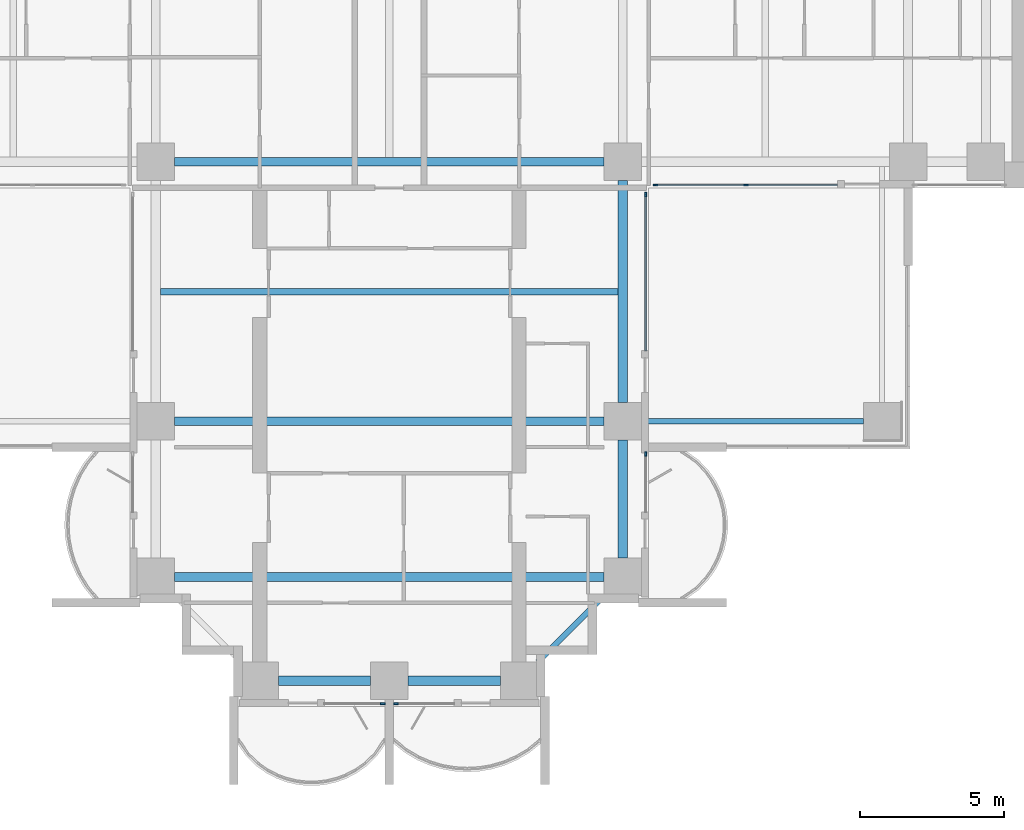
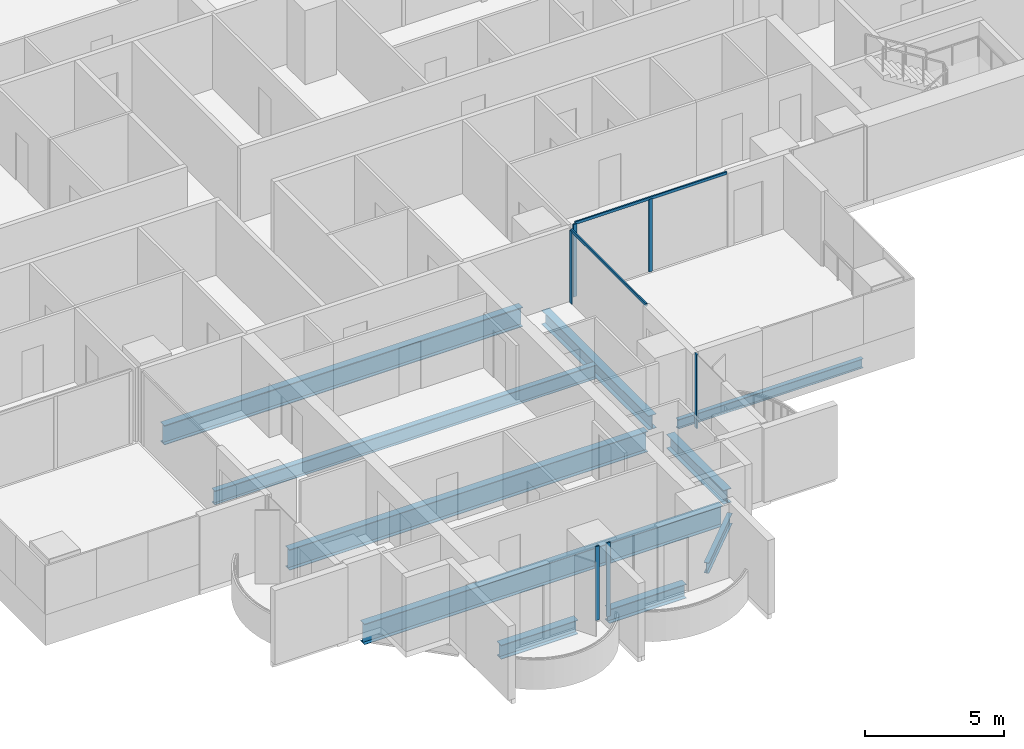
# One storey, part 3 of 21: 10 beams, 8 members, 5 elements without a shape of their own.
"""IFC4 building model written with IfcOpenShell, lengths in metres."""

import ifcopenshell
import ifcopenshell.guid

model = None  # the IFC model being written
_history = None  # IfcOwnerHistory: only IFC2X3 demands one
_inside = {}  # id of a spatial element -> (the spatial element, [elements in it])
_under = {}  # id of a project, library or spatial element -> (it, [spatial elements below it])
_declared = {}  # id of a project -> (the project, [libraries it declares])
_typed = {}  # id of a type object -> (the type object, [elements of that type])
_made_of = {}  # id of a material, layer set ... -> (it, [elements and type objects made of it])


def new_model(schema):
    """Start an empty IFC model of exactly this schema.

    Asked for "IFC4X3", IfcOpenShell would pick the latest addendum, in which some entities
    have other attributes; the version numbers below select the first issue.
    IFC2X3 requires an IfcOwnerHistory on every rooted entity: one is made here for all.
    """
    global model, _history
    if schema == "IFC4X3":
        model = ifcopenshell.file(schema_version=(4, 3, 0, 0))
    else:
        model = ifcopenshell.file(schema=schema)
    _inside.clear()
    _under.clear()
    _declared.clear()
    _typed.clear()
    _made_of.clear()
    _history = None
    if model.schema == "IFC2X3":
        org = make("IfcOrganization", Name="unknown")
        user = make(
            "IfcPersonAndOrganization",
            ThePerson=make("IfcPerson", FamilyName="unknown"),
            TheOrganization=org,
        )
        app = make(
            "IfcApplication",
            ApplicationDeveloper=org,
            Version="unknown",
            ApplicationFullName="unknown",
            ApplicationIdentifier="unknown",
        )
        _history = make(
            "IfcOwnerHistory",
            OwningUser=user,
            OwningApplication=app,
            ChangeAction="ADDED",
            CreationDate=0,
        )
    return model


def make(cls, **values):
    """One entity of the class cls with the attributes given. An attribute that is None is left unset."""
    return model.create_entity(
        cls, **{name: value for name, value in values.items() if value is not None}
    )


def rooted(cls, **values):
    """An entity with a GlobalId (a new one), such as an element, a storey or a relation."""
    return make(cls, GlobalId=ifcopenshell.guid.new(), OwnerHistory=_history, **values)


def si_unit(unit_type, name, prefix=None):
    """IfcSIUnit, for example si_unit("LENGTHUNIT", "METRE", prefix="MILLI")."""
    return make("IfcSIUnit", UnitType=unit_type, Prefix=prefix, Name=name)


def assignment(units):
    """IfcUnitAssignment: the units of a project."""
    return None if units is None else make("IfcUnitAssignment", Units=units)


def point(xyz):
    """IfcCartesianPoint."""
    return None if xyz is None else make("IfcCartesianPoint", Coordinates=xyz)


def direction(xyz):
    """IfcDirection."""
    return None if xyz is None else make("IfcDirection", DirectionRatios=xyz)


def frame(location, z_axis=None, x_axis=None):
    """IfcAxis2Placement3D, a coordinate frame: its origin and axes. An axis left out is left unset."""
    return make(
        "IfcAxis2Placement3D",
        Location=point(location),
        Axis=direction(z_axis),
        RefDirection=direction(x_axis),
    )


def frame_2d(location, x_axis=None):
    """IfcAxis2Placement2D, a coordinate frame in the plane: its origin and x axis."""
    return make(
        "IfcAxis2Placement2D", Location=point(location), RefDirection=direction(x_axis)
    )


def origin():
    """The frame at (0, 0, 0) with its axes left unset."""
    return frame((0.0, 0.0, 0.0))


def origin_2d():
    """The frame at (0, 0) in the plane with its x axis left unset."""
    return frame_2d((0.0, 0.0))


def place(relative_to, where):
    """IfcLocalPlacement: puts the frame where relative to a parent placement (None: the world)."""
    return make(
        "IfcLocalPlacement", PlacementRelTo=relative_to, RelativePlacement=where
    )


def context(
    kind, dimensions, precision=None, world=None, true_north=None, identifier=None
):
    """IfcGeometricRepresentationContext, for example the 3D "Model" context."""
    return make(
        "IfcGeometricRepresentationContext",
        ContextIdentifier=identifier,
        ContextType=kind,
        CoordinateSpaceDimension=dimensions,
        Precision=precision,
        WorldCoordinateSystem=world,
        TrueNorth=true_north,
    )


def subcontext(parent, identifier, kind, view, scale=None):
    """IfcGeometricRepresentationSubContext, for example "Body" below "Model"."""
    return make(
        "IfcGeometricRepresentationSubContext",
        ContextIdentifier=identifier,
        ContextType=kind,
        ParentContext=parent,
        TargetScale=scale,
        TargetView=view,
    )


def project(units=None, contexts=None):
    """IfcProject with its units and contexts."""
    return rooted(
        "IfcProject",
        Name="project",
        RepresentationContexts=contexts,
        UnitsInContext=assignment(units),
    )


def spatial(cls, under=None, at=None, **own):
    """A site, building, storey or space (cls), placed at a placement, below another one or the project."""
    s = rooted(cls, ObjectPlacement=at, **own)
    if under is not None:
        _under.setdefault(under.id(), (under, []))[1].append(s)
    return s


def profile(cls, at=None, kind="AREA", **sizes):
    """A parametric profile (cls). Its sizes go by their IFC names, for example OverallWidth=200.0."""
    return make(cls, ProfileType=kind, Position=at, **sizes)


def rectangle(**sizes):
    """IfcRectangleProfileDef."""
    return profile("IfcRectangleProfileDef", **sizes)


def i_section(**sizes):
    """IfcIShapeProfileDef."""
    return profile("IfcIShapeProfileDef", **sizes)


def extrude(swept, where, along, depth):
    """IfcExtrudedAreaSolid: the profile swept, set in the frame where, extruded along a direction by depth."""
    return make(
        "IfcExtrudedAreaSolid",
        SweptArea=swept,
        Position=where,
        ExtrudedDirection=direction(along),
        Depth=depth,
    )


def shape(context_of_items, identifier, shape_type, items):
    """IfcShapeRepresentation: the items that make up one representation, for example the "Body"."""
    return make(
        "IfcShapeRepresentation",
        ContextOfItems=context_of_items,
        RepresentationIdentifier=identifier,
        RepresentationType=shape_type,
        Items=items,
    )


def material(Name=None, Category=None):
    """IfcMaterial."""
    return make("IfcMaterial", Name=Name, Category=Category)


def material_profile(
    of_material, cross_section, Name=None, Category=None, Priority=None
):
    """IfcMaterialProfile: a cross section and its material."""
    return make(
        "IfcMaterialProfile",
        Name=Name,
        Material=of_material,
        Profile=cross_section,
        Priority=Priority,
        Category=Category,
    )


def profile_set(profiles, Name=None, composite=None):
    """IfcMaterialProfileSet."""
    return make(
        "IfcMaterialProfileSet",
        Name=Name,
        MaterialProfiles=profiles,
        CompositeProfile=composite,
    )


def made_of(thing, what):
    """Note that an element or type object is made of a material, layer set ...; save() writes the relation."""
    if what is not None:
        _made_of.setdefault(what.id(), (what, []))[1].append(thing)
    return thing


def type_object(cls, material=None, **own):
    """A type object (cls), such as IfcWallType, which elements share."""
    return made_of(rooted(cls, **own), material)


def element(
    cls,
    number,
    at=None,
    inside=None,
    cuts=None,
    type_object=None,
    material=None,
    context=None,
    identifier="Body",
    shape_type=None,
    held_by="IfcProductDefinitionShape",
    body=None,
    shapes=None,
    **own,
):
    """One element of the class cls, such as IfcWall. Its Tag is "e" and its number.

    at: its placement. inside: the storey or other place that contains it. cuts: it is an
    opening in that element (IfcRelVoidsElement). A single representation is given by context,
    identifier, shape_type and body (its items); several are given by shapes. held_by: the class
    of the entity that holds the representations. save() writes the other relations.
    """
    e = rooted(cls, Tag="e%d" % number, ObjectPlacement=at, **own)
    if body is not None:
        shapes = [shape(context, identifier, shape_type, body)]
    if shapes is not None:
        e.Representation = make(held_by, Representations=shapes)
    if inside is not None:
        _inside.setdefault(inside.id(), (inside, []))[1].append(e)
    if cuts is not None:
        rooted(
            "IfcRelVoidsElement", RelatingBuildingElement=cuts, RelatedOpeningElement=e
        )
    if type_object is not None:
        _typed.setdefault(type_object.id(), (type_object, []))[1].append(e)
    return made_of(e, material)


def aggregate(whole, parts):
    """IfcRelAggregates: a whole, such as a stair, and the parts it consists of."""
    return rooted("IfcRelAggregates", RelatingObject=whole, RelatedObjects=parts)


def save(model, path):
    """Write the relations noted so far, then the file.

    IfcRelAggregates (storeys below a building ...), IfcRelContainedInSpatialStructure (elements
    in a storey), IfcRelDefinesByType, IfcRelAssociatesMaterial and IfcRelDeclares: one each for
    every whole, place, type object, material and project.
    """
    for whole, parts in _under.values():
        aggregate(whole, parts)
    for where, things in _inside.values():
        rooted(
            "IfcRelContainedInSpatialStructure",
            RelatedElements=things,
            RelatingStructure=where,
        )
    for kind, things in _typed.values():
        rooted("IfcRelDefinesByType", RelatedObjects=things, RelatingType=kind)
    for what, things in _made_of.values():
        rooted("IfcRelAssociatesMaterial", RelatedObjects=things, RelatingMaterial=what)
    for by, libraries in _declared.values():
        rooted("IfcRelDeclares", RelatingContext=by, RelatedDefinitions=libraries)
    model.write(path)


model = new_model("IFC4")

# Units and contexts
model_context = context("Model", 3, precision=1e-05, world=origin(), true_north=direction((0.0, 1.0)))
body_context = subcontext(model_context, "Body", "Model", "MODEL_VIEW")
ifc_project = project(units=[si_unit("LENGTHUNIT", "METRE"), si_unit("AREAUNIT", "SQUARE_METRE"), si_unit("VOLUMEUNIT", "CUBIC_METRE"), si_unit("PLANEANGLEUNIT", "RADIAN"), si_unit("MASSUNIT", "GRAM", prefix="KILO")], contexts=[model_context])

# Site, building, storey
site_placement = place(None, origin())
site = spatial("IfcSite", under=ifc_project, at=site_placement, CompositionType="ELEMENT")
building_placement = place(site_placement, origin())
building = spatial("IfcBuilding", under=site, at=building_placement, Name="Perihelion Cross Residences", CompositionType="ELEMENT")
storey_placement = place(building_placement, frame((0.0, 0.0, 47.0)))
storey = spatial("IfcBuildingStorey", under=building, at=storey_placement, Name="L08", CompositionType="ELEMENT", Elevation=47.0)

# Curtain wall, member
ifc_material_1 = material(Name="Bronze anodised aluminium, tinted glazing", Category="aluminium")
curtain_wall_type = type_object("IfcCurtainWallType", Name="CW1", PredefinedType="NOTDEFINED", material=ifc_material_1)
curtain_wall_1_placement = place(storey_placement, origin())
curtain_wall_1 = element("IfcCurtainWall", 1, at=curtain_wall_1_placement, inside=storey, type_object=curtain_wall_type, Name="Curtain wall CW1 L08 south tip south bay 1", PredefinedType="NOTDEFINED")
ifc_material_2 = material(Name="Bronze anodised aluminium", Category="aluminium")
ifc_material_profile_1 = material_profile(ifc_material_2, rectangle(XDim=0.06005859375, YDim=0.159912109375, at=origin_2d()), Name="CW1 mullion")
ifc_profile_set_1 = profile_set([ifc_material_profile_1], Name="Bronze anodised aluminium")
member_type_1 = type_object("IfcMemberType", Name="CW1 mullion", PredefinedType="MULLION", material=ifc_profile_set_1)
member_1_placement = place(storey_placement, frame((-0.22998046875, -26.89990234375, 0.0), z_axis=(0.0, 0.0, 1.0), x_axis=(0.0, 1.0, 0.0)))
member_1 = element("IfcMember", 2, at=member_1_placement, type_object=member_type_1, Name="CW1 mullion 2", PredefinedType="MULLION", context=body_context, shape_type="SweptSolid", body=[
    extrude(rectangle(XDim=0.06005859375, YDim=0.159912109375, at=origin_2d()), origin(), (0.0, 0.0, 1.0), 3.25),
])
aggregate(curtain_wall_1, [member_1])

curtain_wall_2_placement = place(storey_placement, origin())
curtain_wall_2 = element("IfcCurtainWall", 3, at=curtain_wall_2_placement, inside=storey, type_object=curtain_wall_type, Name="Curtain wall CW1 L08 south tip south bay 2", PredefinedType="NOTDEFINED")
member_2_placement = place(storey_placement, frame((0.22998046875, -26.89990234375, 0.0), z_axis=(0.0, 0.0, 1.0), x_axis=(0.0, 1.0, 0.0)))
member_2 = element("IfcMember", 4, at=member_2_placement, type_object=member_type_1, Name="CW1 mullion 1", PredefinedType="MULLION", context=body_context, shape_type="SweptSolid", body=[
    extrude(rectangle(XDim=0.06005859375, YDim=0.159912109375, at=origin_2d()), origin(), (0.0, 0.0, 1.0), 3.25),
])
aggregate(curtain_wall_2, [member_2])

curtain_wall_3_placement = place(storey_placement, origin())
curtain_wall_3 = element("IfcCurtainWall", 5, at=curtain_wall_3_placement, inside=storey, type_object=curtain_wall_type, Name="Curtain wall CW1 L08 south side east bay 1", PredefinedType="NOTDEFINED")
member_3_placement = place(storey_placement, frame((8.89990234375, -18.22998046875, 0.0), z_axis=(0.0, 0.0, 1.0), x_axis=(-1.0, 0.0, 0.0)))
member_3 = element("IfcMember", 6, at=member_3_placement, type_object=member_type_1, Name="CW1 mullion 2", PredefinedType="MULLION", context=body_context, shape_type="SweptSolid", body=[
    extrude(rectangle(XDim=0.06005859375, YDim=0.159912109375, at=origin_2d()), origin(), (0.0, 0.0, 1.0), 3.25),
])
aggregate(curtain_wall_3, [member_3])

curtain_wall_4_placement = place(storey_placement, origin())
curtain_wall_4 = element("IfcCurtainWall", 7, at=curtain_wall_4_placement, inside=storey, type_object=curtain_wall_type, Name="Curtain wall CW1 L08 south side east bay 2", PredefinedType="NOTDEFINED")
member_4_placement = place(storey_placement, frame((8.89990234375, -9.22998046875, 0.0), z_axis=(0.0, 0.0, 1.0), x_axis=(-1.0, 0.0, 0.0)))
member_4 = element("IfcMember", 8, at=member_4_placement, type_object=member_type_1, Name="CW1 mullion 2", PredefinedType="MULLION", context=body_context, shape_type="SweptSolid", body=[
    extrude(rectangle(XDim=0.06005859375, YDim=0.159912109375, at=origin_2d()), origin(), (0.0, 0.0, 1.0), 3.18994140625),
])

# Curtain wall, members
curtain_wall_5_placement = place(storey_placement, origin())
curtain_wall_5 = element("IfcCurtainWall", 9, at=curtain_wall_5_placement, inside=storey, type_object=curtain_wall_type, Name="Curtain wall CW1 L08 east side south bay 1", PredefinedType="NOTDEFINED")
member_5_placement = place(storey_placement, frame((9.22998046875, -8.89990234375, 0.0), z_axis=(0.0, 0.0, 1.0), x_axis=(0.0, 1.0, 0.0)))
member_5 = element("IfcMember", 10, at=member_5_placement, type_object=member_type_1, Name="CW1 mullion 1", PredefinedType="MULLION", context=body_context, shape_type="SweptSolid", body=[
    extrude(rectangle(XDim=0.06005859375, YDim=0.159912109375, at=origin_2d()), origin(), (0.0, 0.0, 1.0), 3.18994140625),
])
member_6_placement = place(storey_placement, frame((12.375, -8.89990234375, 0.0), z_axis=(0.0, 0.0, 1.0), x_axis=(0.0, 1.0, 0.0)))
member_6 = element("IfcMember", 11, at=member_6_placement, type_object=member_type_1, Name="CW1 mullion 2", PredefinedType="MULLION", context=body_context, shape_type="SweptSolid", body=[
    extrude(rectangle(XDim=0.06005859375, YDim=0.159912109375, at=origin_2d()), origin(), (0.0, 0.0, 1.0), 3.18994140625),
])

# Member
ifc_material_3 = material(Name="Bronze anodised aluminium", Category="aluminium")
ifc_material_profile_2 = material_profile(ifc_material_3, rectangle(XDim=0.06005859375, YDim=0.1201171875, at=origin_2d()), Name="CW1 transom")
ifc_profile_set_2 = profile_set([ifc_material_profile_2], Name="Bronze anodised aluminium")
member_type_2 = type_object("IfcMemberType", Name="CW1 transom", PredefinedType="USERDEFINED", material=ifc_profile_set_2)
member_7_placement = place(storey_placement, frame((8.89990234375, -14.64990234375, 3.219970703125), z_axis=(0.0, 1.0, 0.0), x_axis=(-1.0, 0.0, 0.0)))
member_7 = element("IfcMember", 12, at=member_7_placement, type_object=member_type_2, Name="CW1 head transom", ObjectType="TRANSOM", PredefinedType="USERDEFINED", context=body_context, shape_type="SweptSolid", body=[
    extrude(rectangle(XDim=0.06005859375, YDim=0.1201171875, at=origin_2d()), origin(), (0.0, 0.0, 1.0), 5.419921875),
])

aggregate(curtain_wall_4, [member_4, member_7])

member_8_placement = place(storey_placement, frame((9.22998046875, -8.89990234375, 3.219970703125), z_axis=(1.0, 0.0, 0.0), x_axis=(0.0, 1.0, 0.0)))
member_8 = element("IfcMember", 13, at=member_8_placement, type_object=member_type_2, Name="CW1 head transom", ObjectType="TRANSOM", PredefinedType="USERDEFINED", context=body_context, shape_type="SweptSolid", body=[
    extrude(rectangle(XDim=0.06005859375, YDim=0.1201171875, at=origin_2d()), origin(), (0.0, 0.0, 1.0), 6.320068359375),
])

aggregate(curtain_wall_5, [member_5, member_6, member_8])

# Beams
ifc_material_4 = material(Name="Steel S355", Category="steel")
ifc_material_profile_3 = material_profile(ifc_material_4, i_section(OverallWidth=0.177978515625, OverallDepth=0.406005859375, WebThickness=0.0078125, FlangeThickness=0.0126953125, at=origin_2d()), Name="W410x60")
ifc_profile_set_3 = profile_set([ifc_material_profile_3], Name="Steel S355")
beam_type_1 = type_object("IfcBeamType", Name="Core edge beam W410x60", PredefinedType="BEAM", material=ifc_profile_set_3)
beam_1_placement = place(storey_placement, frame((8.75, -17.10009765625, -0.452880859375), z_axis=(1.0, 0.0, 0.0), x_axis=(0.0, 1.0, 0.0)))
element("IfcBeam", 14, at=beam_1_placement, inside=storey, type_object=beam_type_1, Name="Core edge beam TB2 L08 corner no. 6", PredefinedType="BEAM", context=body_context, shape_type="SweptSolid", body=[
    extrude(i_section(OverallWidth=0.177978515625, OverallDepth=0.406005859375, WebThickness=0.0078125, FlangeThickness=0.0126953125, at=origin_2d()), origin(), (0.0, 0.0, 1.0), 7.699951171875),
])
ifc_material_5 = material(Name="Steel S355", Category="steel")
ifc_material_profile_4 = material_profile(ifc_material_5, i_section(OverallWidth=0.324951171875, OverallDepth=0.616943359375, WebThickness=0.013916015625, FlangeThickness=0.021484375, at=origin_2d()), Name="W610x174")
ifc_profile_set_4 = profile_set([ifc_material_profile_4], Name="Steel S355")
beam_type_2 = type_object("IfcBeamType", Name="Edge beam W610x174", PredefinedType="SPANDREL", material=ifc_profile_set_4)
for number, where, z_axis, x_axis, name in (
    (15, (-3.85009765625, -26.10009765625, -0.55859375), (1.0, 0.0, 0.0), (0.0, 1.0, 0.0), "Edge beam SB2 L08 no. 4"),
    (16, (0.64990234375, -26.10009765625, -0.55859375), (1.0, 0.0, 0.0), (0.0, 1.0, 0.0), "Edge beam SB2 L08 no. 10"),
):
    element("IfcBeam", number, at=place(storey_placement, frame(where, z_axis=z_axis, x_axis=x_axis)), inside=storey, type_object=beam_type_2, Name=name, PredefinedType="SPANDREL", context=body_context, shape_type="SweptSolid", body=[
        extrude(i_section(OverallWidth=0.324951171875, OverallDepth=0.616943359375, WebThickness=0.013916015625, FlangeThickness=0.021484375, at=origin_2d()), origin(), (0.0, 0.0, 1.0), 3.2001953125),
    ])
beam_2_placement = place(storey_placement, frame((8.10009765625, -21.85009765625, -0.55859375), z_axis=(0.0, 1.0, 0.0), x_axis=(-1.0, 0.0, 0.0)))
element("IfcBeam", 17, at=beam_2_placement, inside=storey, type_object=beam_type_2, Name="Edge beam SB2 L08 no. 17", PredefinedType="SPANDREL", context=body_context, shape_type="SweptSolid", body=[
    extrude(i_section(OverallWidth=0.324951171875, OverallDepth=0.616943359375, WebThickness=0.013916015625, FlangeThickness=0.021484375, at=origin_2d()), origin(), (0.0, 0.0, 1.0), 4.10009765625),
])
beam_3_placement = place(storey_placement, frame((8.10009765625, -16.449951171875, -0.55859375), z_axis=(0.0, 1.0, 0.0), x_axis=(-1.0, 0.0, 0.0)))
element("IfcBeam", 18, at=beam_3_placement, inside=storey, type_object=beam_type_2, Name="Edge beam SB2 L08 no. 16", PredefinedType="SPANDREL", context=body_context, shape_type="SweptSolid", body=[
    extrude(i_section(OverallWidth=0.324951171875, OverallDepth=0.616943359375, WebThickness=0.013916015625, FlangeThickness=0.021484375, at=origin_2d()), origin(), (0.0, 0.0, 1.0), 7.699951171875),
])
ifc_material_6 = material(Name="Steel S355", Category="steel")
ifc_material_profile_5 = material_profile(ifc_material_6, i_section(OverallWidth=0.304931640625, OverallDepth=0.904052734375, WebThickness=0.01513671875, FlangeThickness=0.02001953125, at=origin_2d()), Name="W920x201")
ifc_profile_set_5 = profile_set([ifc_material_profile_5], Name="Steel S355")
beam_type_3 = type_object("IfcBeamType", Name="Floor girder W920x201", PredefinedType="BEAM", material=ifc_profile_set_5)
for number, where, z_axis, x_axis, name in (
    (19, (-7.449951171875, -17.10009765625, -0.701904296875), (1.0, 0.0, 0.0), (0.0, 1.0, 0.0), "Girder G2 L08 no. 3"),
    (20, (-7.449951171875, -22.5, -0.701904296875), (1.0, 0.0, 0.0), (0.0, 1.0, 0.0), "Girder G2 L08 no. 4"),
):
    element("IfcBeam", number, at=place(storey_placement, frame(where, z_axis=z_axis, x_axis=x_axis)), inside=storey, type_object=beam_type_3, Name=name, PredefinedType="BEAM", context=body_context, shape_type="SweptSolid", body=[
        extrude(i_section(OverallWidth=0.304931640625, OverallDepth=0.904052734375, WebThickness=0.01513671875, FlangeThickness=0.02001953125, at=origin_2d()), origin(), (0.0, 0.0, 1.0), 14.89990234375),
    ])
ifc_material_7 = material(Name="Steel S355", Category="steel")
ifc_material_profile_6 = material_profile(ifc_material_7, i_section(OverallWidth=0.22900390625, OverallDepth=0.612060546875, WebThickness=0.011962890625, FlangeThickness=0.01953125, at=origin_2d()), Name="W610x125")
ifc_profile_set_6 = profile_set([ifc_material_profile_6], Name="Steel S355")
beam_type_4 = type_object("IfcBeamType", Name="Floor joist W610x125", PredefinedType="JOIST", material=ifc_profile_set_6)
beam_4_placement = place(storey_placement, frame((-7.9375, -12.60009765625, -0.555908203125), z_axis=(1.0, 0.0, 0.0), x_axis=(0.0, 1.0, 0.0)))
element("IfcBeam", 21, at=beam_4_placement, inside=storey, type_object=beam_type_4, Name="Joist J3 L08 no. 3", PredefinedType="JOIST", context=body_context, shape_type="SweptSolid", body=[
    extrude(i_section(OverallWidth=0.22900390625, OverallDepth=0.612060546875, WebThickness=0.011962890625, FlangeThickness=0.01953125, at=origin_2d()), origin(), (0.0, 0.0, 1.0), 15.875),
])
ifc_material_8 = material(Name="Steel S355", Category="steel")
ifc_material_profile_7 = material_profile(ifc_material_8, i_section(OverallWidth=0.2919921875, OverallDepth=0.85888671875, WebThickness=0.01708984375, FlangeThickness=0.031005859375, at=origin_2d()), Name="W840x251")
ifc_profile_set_7 = profile_set([ifc_material_profile_7], Name="Steel S355")
beam_type_5 = type_object("IfcBeamType", Name="Hub ring girder W840x251", PredefinedType="BEAM", material=ifc_profile_set_7)
beam_5_placement = place(storey_placement, frame((-7.449951171875, -8.10009765625, -0.679443359375), z_axis=(1.0, 0.0, 0.0), x_axis=(0.0, 1.0, 0.0)))
element("IfcBeam", 22, at=beam_5_placement, inside=storey, type_object=beam_type_5, Name="Hub ring girder RG2 L08 no. 1", PredefinedType="BEAM", context=body_context, shape_type="SweptSolid", body=[
    extrude(i_section(OverallWidth=0.2919921875, OverallDepth=0.85888671875, WebThickness=0.01708984375, FlangeThickness=0.031005859375, at=origin_2d()), origin(), (0.0, 0.0, 1.0), 14.89990234375),
])
ifc_material_9 = material(Name="Steel S355", Category="steel")
ifc_material_profile_8 = material_profile(ifc_material_9, i_section(OverallWidth=0.194091796875, OverallDepth=0.469970703125, WebThickness=0.0126953125, FlangeThickness=0.0205078125, at=origin_2d()), Name="W460x106")
ifc_profile_set_8 = profile_set([ifc_material_profile_8], Name="Steel S355")
beam_type_6 = type_object("IfcBeamType", Name="Serration edge beam W460x106", PredefinedType="BEAM", material=ifc_profile_set_8)
beam_6_placement = place(storey_placement, frame((5.14990234375, -25.449951171875, -0.485107421875), z_axis=(0.707106781187, 0.707106781187, 0.0), x_axis=(-0.707106781187, 0.707106781187, 0.0)))
element("IfcBeam", 23, at=beam_6_placement, inside=storey, type_object=beam_type_6, Name="Serration edge beam EB2 L08 no. 3", PredefinedType="BEAM", context=body_context, shape_type="SweptSolid", body=[
    extrude(i_section(OverallWidth=0.194091796875, OverallDepth=0.469970703125, WebThickness=0.0126953125, FlangeThickness=0.0205078125, at=origin_2d()), origin(), (0.0, 0.0, 1.0), 3.252685546875),
])

save(model, "model.ifc")
